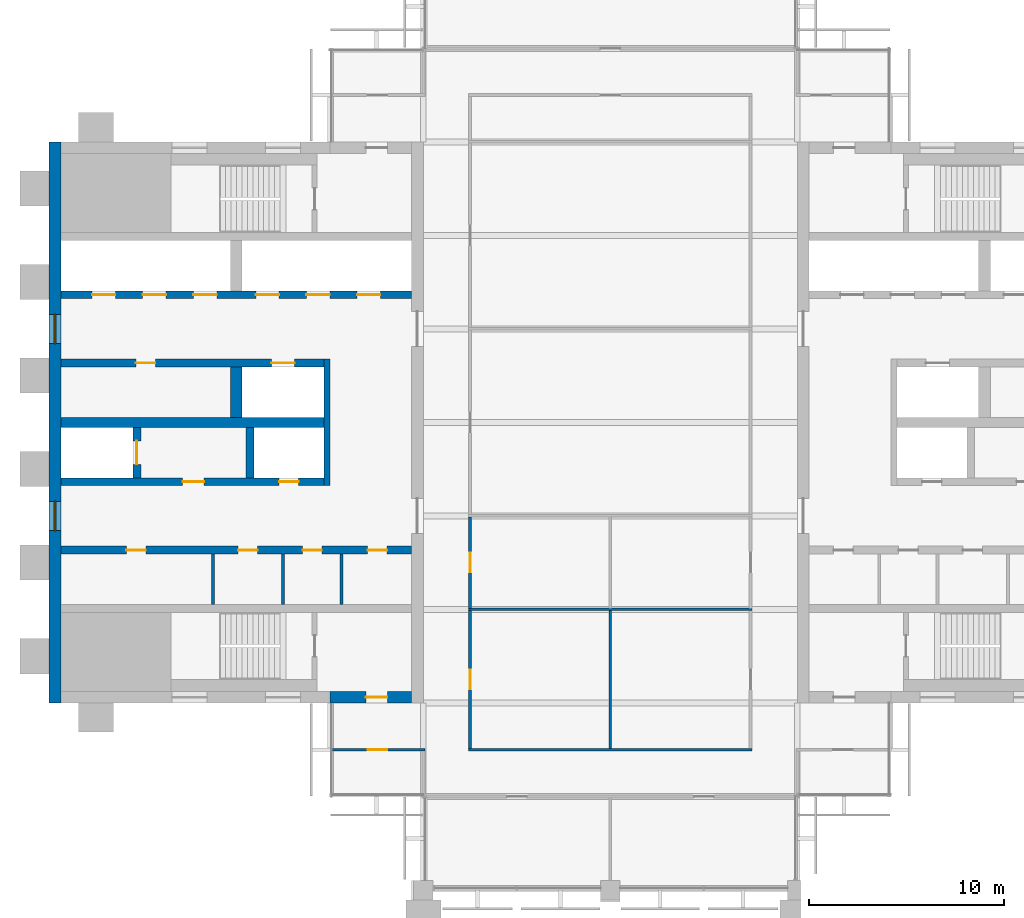
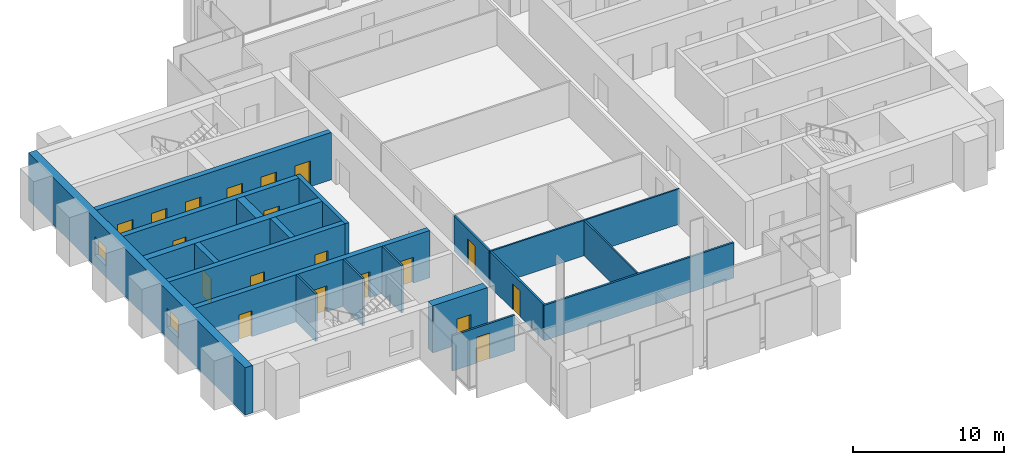
# One storey, part 8 of 12: 20 walls, 19 doors, 2 windows, 21 openings.
"""IFC4 building model written with IfcOpenShell, lengths in metres."""

import ifcopenshell
import ifcopenshell.guid

model = None  # the IFC model being written
_history = None  # IfcOwnerHistory: only IFC2X3 demands one
_inside = {}  # id of a spatial element -> (the spatial element, [elements in it])
_under = {}  # id of a project, library or spatial element -> (it, [spatial elements below it])
_declared = {}  # id of a project -> (the project, [libraries it declares])
_typed = {}  # id of a type object -> (the type object, [elements of that type])
_made_of = {}  # id of a material, layer set ... -> (it, [elements and type objects made of it])


def new_model(schema):
    """Start an empty IFC model of exactly this schema.

    Asked for "IFC4X3", IfcOpenShell would pick the latest addendum, in which some entities
    have other attributes; the version numbers below select the first issue.
    IFC2X3 requires an IfcOwnerHistory on every rooted entity: one is made here for all.
    """
    global model, _history
    if schema == "IFC4X3":
        model = ifcopenshell.file(schema_version=(4, 3, 0, 0))
    else:
        model = ifcopenshell.file(schema=schema)
    _inside.clear()
    _under.clear()
    _declared.clear()
    _typed.clear()
    _made_of.clear()
    _history = None
    if model.schema == "IFC2X3":
        org = make("IfcOrganization", Name="unknown")
        user = make(
            "IfcPersonAndOrganization",
            ThePerson=make("IfcPerson", FamilyName="unknown"),
            TheOrganization=org,
        )
        app = make(
            "IfcApplication",
            ApplicationDeveloper=org,
            Version="unknown",
            ApplicationFullName="unknown",
            ApplicationIdentifier="unknown",
        )
        _history = make(
            "IfcOwnerHistory",
            OwningUser=user,
            OwningApplication=app,
            ChangeAction="ADDED",
            CreationDate=0,
        )
    return model


def make(cls, **values):
    """One entity of the class cls with the attributes given. An attribute that is None is left unset."""
    return model.create_entity(
        cls, **{name: value for name, value in values.items() if value is not None}
    )


def rooted(cls, **values):
    """An entity with a GlobalId (a new one), such as an element, a storey or a relation."""
    return make(cls, GlobalId=ifcopenshell.guid.new(), OwnerHistory=_history, **values)


def si_unit(unit_type, name, prefix=None):
    """IfcSIUnit, for example si_unit("LENGTHUNIT", "METRE", prefix="MILLI")."""
    return make("IfcSIUnit", UnitType=unit_type, Prefix=prefix, Name=name)


def assignment(units):
    """IfcUnitAssignment: the units of a project."""
    return None if units is None else make("IfcUnitAssignment", Units=units)


def point(xyz):
    """IfcCartesianPoint."""
    return None if xyz is None else make("IfcCartesianPoint", Coordinates=xyz)


def direction(xyz):
    """IfcDirection."""
    return None if xyz is None else make("IfcDirection", DirectionRatios=xyz)


def frame(location, z_axis=None, x_axis=None):
    """IfcAxis2Placement3D, a coordinate frame: its origin and axes. An axis left out is left unset."""
    return make(
        "IfcAxis2Placement3D",
        Location=point(location),
        Axis=direction(z_axis),
        RefDirection=direction(x_axis),
    )


def frame_2d(location, x_axis=None):
    """IfcAxis2Placement2D, a coordinate frame in the plane: its origin and x axis."""
    return make(
        "IfcAxis2Placement2D", Location=point(location), RefDirection=direction(x_axis)
    )


def origin():
    """The frame at (0, 0, 0) with its axes left unset."""
    return frame((0.0, 0.0, 0.0))


def place(relative_to, where):
    """IfcLocalPlacement: puts the frame where relative to a parent placement (None: the world)."""
    return make(
        "IfcLocalPlacement", PlacementRelTo=relative_to, RelativePlacement=where
    )


def context(
    kind, dimensions, precision=None, world=None, true_north=None, identifier=None
):
    """IfcGeometricRepresentationContext, for example the 3D "Model" context."""
    return make(
        "IfcGeometricRepresentationContext",
        ContextIdentifier=identifier,
        ContextType=kind,
        CoordinateSpaceDimension=dimensions,
        Precision=precision,
        WorldCoordinateSystem=world,
        TrueNorth=true_north,
    )


def subcontext(parent, identifier, kind, view, scale=None):
    """IfcGeometricRepresentationSubContext, for example "Body" below "Model"."""
    return make(
        "IfcGeometricRepresentationSubContext",
        ContextIdentifier=identifier,
        ContextType=kind,
        ParentContext=parent,
        TargetScale=scale,
        TargetView=view,
    )


def project(units=None, contexts=None):
    """IfcProject with its units and contexts."""
    return rooted(
        "IfcProject",
        Name="project",
        RepresentationContexts=contexts,
        UnitsInContext=assignment(units),
    )


def spatial(cls, under=None, at=None, **own):
    """A site, building, storey or space (cls), placed at a placement, below another one or the project."""
    s = rooted(cls, ObjectPlacement=at, **own)
    if under is not None:
        _under.setdefault(under.id(), (under, []))[1].append(s)
    return s


def profile(cls, at=None, kind="AREA", **sizes):
    """A parametric profile (cls). Its sizes go by their IFC names, for example OverallWidth=200.0."""
    return make(cls, ProfileType=kind, Position=at, **sizes)


def rectangle(**sizes):
    """IfcRectangleProfileDef."""
    return profile("IfcRectangleProfileDef", **sizes)


def extrude(swept, where, along, depth):
    """IfcExtrudedAreaSolid: the profile swept, set in the frame where, extruded along a direction by depth."""
    return make(
        "IfcExtrudedAreaSolid",
        SweptArea=swept,
        Position=where,
        ExtrudedDirection=direction(along),
        Depth=depth,
    )


def shape(context_of_items, identifier, shape_type, items):
    """IfcShapeRepresentation: the items that make up one representation, for example the "Body"."""
    return make(
        "IfcShapeRepresentation",
        ContextOfItems=context_of_items,
        RepresentationIdentifier=identifier,
        RepresentationType=shape_type,
        Items=items,
    )


def material(Name=None, Category=None):
    """IfcMaterial."""
    return make("IfcMaterial", Name=Name, Category=Category)


def layer(
    of_material, thickness, ventilated=None, Name=None, Category=None, Priority=None
):
    """IfcMaterialLayer: one layer of a wall or slab, of a material (None: an air gap)."""
    return make(
        "IfcMaterialLayer",
        Material=of_material,
        LayerThickness=thickness,
        IsVentilated=ventilated,
        Name=Name,
        Category=Category,
        Priority=Priority,
    )


def layer_set(layers, Name=None):
    """IfcMaterialLayerSet."""
    return make("IfcMaterialLayerSet", MaterialLayers=layers, LayerSetName=Name)


def made_of(thing, what):
    """Note that an element or type object is made of a material, layer set ...; save() writes the relation."""
    if what is not None:
        _made_of.setdefault(what.id(), (what, []))[1].append(thing)
    return thing


def type_object(cls, material=None, **own):
    """A type object (cls), such as IfcWallType, which elements share."""
    return made_of(rooted(cls, **own), material)


def element(
    cls,
    number,
    at=None,
    inside=None,
    cuts=None,
    type_object=None,
    material=None,
    context=None,
    identifier="Body",
    shape_type=None,
    held_by="IfcProductDefinitionShape",
    body=None,
    shapes=None,
    **own,
):
    """One element of the class cls, such as IfcWall. Its Tag is "e" and its number.

    at: its placement. inside: the storey or other place that contains it. cuts: it is an
    opening in that element (IfcRelVoidsElement). A single representation is given by context,
    identifier, shape_type and body (its items); several are given by shapes. held_by: the class
    of the entity that holds the representations. save() writes the other relations.
    """
    e = rooted(cls, Tag="e%d" % number, ObjectPlacement=at, **own)
    if body is not None:
        shapes = [shape(context, identifier, shape_type, body)]
    if shapes is not None:
        e.Representation = make(held_by, Representations=shapes)
    if inside is not None:
        _inside.setdefault(inside.id(), (inside, []))[1].append(e)
    if cuts is not None:
        rooted(
            "IfcRelVoidsElement", RelatingBuildingElement=cuts, RelatedOpeningElement=e
        )
    if type_object is not None:
        _typed.setdefault(type_object.id(), (type_object, []))[1].append(e)
    return made_of(e, material)


def fill(opening, filler):
    """IfcRelFillsElement: the door or window that sits in an opening."""
    return rooted(
        "IfcRelFillsElement",
        RelatingOpeningElement=opening,
        RelatedBuildingElement=filler,
    )


def aggregate(whole, parts):
    """IfcRelAggregates: a whole, such as a stair, and the parts it consists of."""
    return rooted("IfcRelAggregates", RelatingObject=whole, RelatedObjects=parts)


def save(model, path):
    """Write the relations noted so far, then the file.

    IfcRelAggregates (storeys below a building ...), IfcRelContainedInSpatialStructure (elements
    in a storey), IfcRelDefinesByType, IfcRelAssociatesMaterial and IfcRelDeclares: one each for
    every whole, place, type object, material and project.
    """
    for whole, parts in _under.values():
        aggregate(whole, parts)
    for where, things in _inside.values():
        rooted(
            "IfcRelContainedInSpatialStructure",
            RelatedElements=things,
            RelatingStructure=where,
        )
    for kind, things in _typed.values():
        rooted("IfcRelDefinesByType", RelatedObjects=things, RelatingType=kind)
    for what, things in _made_of.values():
        rooted("IfcRelAssociatesMaterial", RelatedObjects=things, RelatingMaterial=what)
    for by, libraries in _declared.values():
        rooted("IfcRelDeclares", RelatingContext=by, RelatedDefinitions=libraries)
    model.write(path)


model = new_model("IFC4")

# Units and contexts
model_context = context("Model", 3, precision=1e-05, world=origin(), true_north=direction((0.0, 1.0)))
body_context = subcontext(model_context, "Body", "Model", "MODEL_VIEW")
ifc_project = project(units=[si_unit("LENGTHUNIT", "METRE"), si_unit("AREAUNIT", "SQUARE_METRE"), si_unit("VOLUMEUNIT", "CUBIC_METRE"), si_unit("PLANEANGLEUNIT", "RADIAN"), si_unit("MASSUNIT", "GRAM", prefix="KILO")], contexts=[model_context])

# Site, building, storey
site_placement = place(None, origin())
site = spatial("IfcSite", under=ifc_project, at=site_placement, CompositionType="ELEMENT")
building_placement = place(site_placement, origin())
building = spatial("IfcBuilding", under=site, at=building_placement, Name="Baori Bourse Tower", CompositionType="ELEMENT")
storey_placement = place(building_placement, frame((0.0, 0.0, 342.300048828125)))
storey = spatial("IfcBuildingStorey", under=building, at=storey_placement, Name="L76", CompositionType="ELEMENT", Elevation=342.300048828125)

# Walls
ifc_material_1 = material(Name="Blockwork partition", Category="masonry")
ifc_layer_1 = layer(ifc_material_1, 0.14990234375)
ifc_layer_set_1 = layer_set([ifc_layer_1], Name="Core partition 150")
wall_type_1 = type_object("IfcWallType", Name="Core partition 150", PredefinedType="PARTITIONING", material=ifc_layer_set_1)
for number, where, z_axis, x_axis, name in (
    (1, (8.39990234375, 14.64990234375, 0.0), (0.0, 0.0, 1.0), (0.0, 1.0, 0.0), "Partition wall W09"),
    (2, (12.0, 14.64990234375, 0.0), (0.0, 0.0, 1.0), (0.0, 1.0, 0.0), "Partition wall W10"),
    (3, (15.0, 14.64990234375, 0.0), (0.0, 0.0, 1.0), (0.0, 1.0, 0.0), "Partition wall W11"),
):
    element("IfcWall", number, at=place(storey_placement, frame(where, z_axis=z_axis, x_axis=x_axis)), inside=storey, type_object=wall_type_1, Name=name, PredefinedType="PARTITIONING", context=body_context, shape_type="SweptSolid", body=[
        extrude(rectangle(XDim=2.60009765625, YDim=0.14990234375, at=frame_2d((1.300048828125, 0.0))), origin(), (0.0, 0.0, 1.0), 3.83984375),
    ])

# Wall, openings, windows
ifc_material_2 = material(Name="Concrete f'c 40 MPa", Category="concrete")
ifc_layer_2 = layer(ifc_material_2, 0.60009765625)
ifc_layer_set_2 = layer_set([ifc_layer_2], Name="Core wall 600 f'c 40")
wall_type_2 = type_object("IfcWallType", Name="Core wall 600 f'c 40", PredefinedType="SHEAR", material=ifc_layer_set_2)
wall_1_placement = place(storey_placement, frame((0.300048828125, 9.60009765625, 0.0), z_axis=(0.0, 0.0, 1.0), x_axis=(0.0, 1.0, 0.0)))
wall_1 = element("IfcWall", 4, at=wall_1_placement, inside=storey, type_object=wall_type_2, Name="Core wall W01", PredefinedType="SHEAR", context=body_context, shape_type="SweptSolid", body=[
    extrude(rectangle(XDim=28.7998046875, YDim=0.60009765625, at=frame_2d((14.39990234375, 0.0))), origin(), (0.0, 0.0, 1.0), 3.83984375),
])
opening_1_placement = place(wall_1_placement, frame((8.85009765625, 0.0, 0.89990234375)))
opening_1 = element("IfcOpeningElement", 5, at=opening_1_placement, cuts=wall_1, Name="Opening L76-KW101", PredefinedType="OPENING", context=body_context, shape_type="SweptSolid", body=[
    extrude(rectangle(XDim=1.5, YDim=1.5, at=frame_2d((0.75, 0.75))), frame((0.0, 0.31005859375, 0.0), z_axis=(0.0, -1.0, 0.0), x_axis=(1.0, 0.0, 0.0)), (0.0, 0.0, 1.0), 0.6201171875),
])
opening_2_placement = place(wall_1_placement, frame((18.449951171875, 0.0, 0.89990234375)))
opening_2 = element("IfcOpeningElement", 6, at=opening_2_placement, cuts=wall_1, Name="Opening L76-KW102", PredefinedType="OPENING", context=body_context, shape_type="SweptSolid", body=[
    extrude(rectangle(XDim=1.5, YDim=1.5, at=frame_2d((0.75, 0.75))), frame((0.0, 0.31005859375, 0.0), z_axis=(0.0, -1.0, 0.0), x_axis=(1.0, 0.0, 0.0)), (0.0, 0.0, 1.0), 0.6201171875),
])
ifc_material_3 = material(Name="Pale anodised aluminium", Category="aluminium")
window_type = type_object("IfcWindowType", Name="Lobby window 1500 x 1500", PartitioningType="SINGLE_PANEL", PredefinedType="WINDOW", material=ifc_material_3)
window_1_placement = place(opening_1_placement, origin())
window_1 = element("IfcWindow", 7, at=window_1_placement, inside=storey, type_object=window_type, Name="Outer wall window W L76 1", OverallHeight=1.5, OverallWidth=1.5, PartitioningType="SINGLE_PANEL", PredefinedType="WINDOW", context=body_context, shape_type="SweptSolid", body=[
    extrude(rectangle(XDim=1.5, YDim=1.5, at=frame_2d((0.75, 0.75))), frame((0.0, 0.030029296875, 0.0), z_axis=(0.0, -1.0, 0.0), x_axis=(1.0, 0.0, 0.0)), (0.0, 0.0, 1.0), 0.06005859375),
])
fill(opening_1, window_1)
window_2_placement = place(opening_2_placement, origin())
window_2 = element("IfcWindow", 8, at=window_2_placement, inside=storey, type_object=window_type, Name="Outer wall window W L76 2", OverallHeight=1.5, OverallWidth=1.5, PartitioningType="SINGLE_PANEL", PredefinedType="WINDOW", context=body_context, shape_type="SweptSolid", body=[
    extrude(rectangle(XDim=1.5, YDim=1.5, at=frame_2d((0.75, 0.75))), frame((0.0, 0.030029296875, 0.0), z_axis=(0.0, -1.0, 0.0), x_axis=(1.0, 0.0, 0.0)), (0.0, 0.0, 1.0), 0.06005859375),
])
fill(opening_2, window_2)

# Wall, opening, door
wall_2_placement = place(storey_placement, frame((18.60009765625, 9.89990234375, 0.0), z_axis=(0.0, 0.0, 1.0), x_axis=(-1.0, 0.0, 0.0)))
wall_2 = element("IfcWall", 9, at=wall_2_placement, inside=storey, type_object=wall_type_2, Name="Core wall W03", PredefinedType="SHEAR", context=body_context, shape_type="SweptSolid", body=[
    extrude(rectangle(XDim=4.2001953125, YDim=0.60009765625, at=frame_2d((2.10009765625, 0.0))), origin(), (0.0, 0.0, 1.0), 3.83984375),
])
opening_3_placement = place(wall_2_placement, frame((1.25, 0.0, 0.0)))
opening_3 = element("IfcOpeningElement", 10, at=opening_3_placement, cuts=wall_2, Name="Opening L76-D102", PredefinedType="OPENING", context=body_context, shape_type="SweptSolid", body=[
    extrude(rectangle(XDim=1.10009765625, YDim=2.10009765625, at=frame_2d((0.550048828125, 1.050048828125))), frame((0.0, 0.31005859375, 0.0), z_axis=(0.0, -1.0, 0.0), x_axis=(1.0, 0.0, 0.0)), (0.0, 0.0, 1.0), 0.6201171875),
])
ifc_material_4 = material(Name="Painted steel door", Category="steel")
door_type_1 = type_object("IfcDoorType", Name="Stair door 1100", OperationType="SINGLE_SWING_LEFT", PredefinedType="DOOR", material=ifc_material_4)
door_1_placement = place(opening_3_placement, origin())
door_1 = element("IfcDoor", 11, at=door_1_placement, inside=storey, type_object=door_type_1, Name="Stair vestibule door A W L76", OperationType="SINGLE_SWING_LEFT", OverallHeight=2.10009765625, OverallWidth=1.10009765625, PredefinedType="DOOR", context=body_context, shape_type="SweptSolid", body=[
    extrude(rectangle(XDim=1.10009765625, YDim=2.10009765625, at=frame_2d((0.550048828125, 1.050048828125))), frame((0.0, 0.02490234375, 0.0), z_axis=(0.0, -1.0, 0.0), x_axis=(1.0, 0.0, 0.0)), (0.0, 0.0, 1.0), 0.050048828125),
])
fill(opening_3, door_1)

ifc_material_5 = material(Name="Gypsum board partition")
ifc_layer_3 = layer(ifc_material_5, 0.14990234375)
ifc_layer_set_3 = layer_set([ifc_layer_3], Name="Corridor partition 150")
wall_type_3 = type_object("IfcWallType", Name="Corridor partition 150", PredefinedType="PARTITIONING", material=ifc_layer_set_3)
wall_3_placement = place(storey_placement, frame((14.5, 7.199951171875, 0.0), z_axis=(0.0, 0.0, 1.0), x_axis=(1.0, 0.0, 0.0)))
wall_3 = element("IfcWall", 12, at=wall_3_placement, inside=storey, type_object=wall_type_3, Name="Partition", PredefinedType="PARTITIONING", context=body_context, shape_type="SweptSolid", body=[
    extrude(rectangle(XDim=4.77490234375, YDim=0.14990234375, at=frame_2d((2.387451171875, 0.0))), origin(), (0.0, 0.0, 1.0), 2.86962890625),
])
opening_4_placement = place(wall_3_placement, frame((1.85009765625, 0.0, 0.0)))
opening_4 = element("IfcOpeningElement", 13, at=opening_4_placement, cuts=wall_3, Name="Opening L76-D03", PredefinedType="OPENING", context=body_context, shape_type="SweptSolid", body=[
    extrude(rectangle(XDim=1.0, YDim=2.10009765625, at=frame_2d((0.5, 1.050048828125))), frame((0.0, 0.0849609375, 0.0), z_axis=(0.0, -1.0, 0.0), x_axis=(1.0, 0.0, 0.0)), (0.0, 0.0, 1.0), 0.169921875),
])
ifc_material_6 = material(Name="Timber door leaf", Category="wood")
door_type_2 = type_object("IfcDoorType", Name="Door 1000 x 2100", OperationType="SINGLE_SWING_LEFT", PredefinedType="DOOR", material=ifc_material_6)
door_2_placement = place(opening_4_placement, origin())
door_2 = element("IfcDoor", 14, at=door_2_placement, inside=storey, type_object=door_type_2, Name="Door", OperationType="SINGLE_SWING_LEFT", OverallHeight=2.10009765625, OverallWidth=1.0, PredefinedType="DOOR", context=body_context, shape_type="SweptSolid", body=[
    extrude(rectangle(XDim=1.0, YDim=2.10009765625, at=frame_2d((0.5, 1.050048828125))), frame((0.0, 0.02490234375, 0.0), z_axis=(0.0, -1.0, 0.0), x_axis=(1.0, 0.0, 0.0)), (0.0, 0.0, 1.0), 0.050048828125),
])
fill(opening_4, door_2)

# Wall
wall_4_placement = place(storey_placement, frame((21.52490234375, 7.199951171875, 0.0), z_axis=(0.0, 0.0, 1.0), x_axis=(1.0, 0.0, 0.0)))
element("IfcWall", 15, at=wall_4_placement, inside=storey, type_object=wall_type_3, Name="Partition", PredefinedType="PARTITIONING", context=body_context, shape_type="SweptSolid", body=[
    extrude(rectangle(XDim=14.550048828125, YDim=0.14990234375, at=frame_2d((7.27490234375, 0.0))), origin(), (0.0, 0.0, 1.0), 2.86962890625),
])

# Wall, opening, door
wall_5_placement = place(storey_placement, frame((21.60009765625, 7.27490234375, 0.0), z_axis=(0.0, 0.0, 1.0), x_axis=(0.0, 1.0, 0.0)))
wall_5 = element("IfcWall", 16, at=wall_5_placement, inside=storey, type_object=wall_type_3, Name="Partition", PredefinedType="PARTITIONING", context=body_context, shape_type="SweptSolid", body=[
    extrude(rectangle(XDim=7.0625, YDim=0.14990234375, at=frame_2d((3.53125, 0.0))), origin(), (0.0, 0.0, 1.0), 2.86962890625),
])
opening_5_placement = place(wall_5_placement, frame((3.03125, 0.0, 0.0)))
opening_5 = element("IfcOpeningElement", 17, at=opening_5_placement, cuts=wall_5, Name="Opening L76-D09", PredefinedType="OPENING", context=body_context, shape_type="SweptSolid", body=[
    extrude(rectangle(XDim=1.0, YDim=2.10009765625, at=frame_2d((0.5, 1.050048828125))), frame((0.0, 0.0849609375, 0.0), z_axis=(0.0, -1.0, 0.0), x_axis=(1.0, 0.0, 0.0)), (0.0, 0.0, 1.0), 0.169921875),
])
door_3_placement = place(opening_5_placement, origin())
door_3 = element("IfcDoor", 18, at=door_3_placement, inside=storey, type_object=door_type_2, Name="Door", OperationType="SINGLE_SWING_LEFT", OverallHeight=2.10009765625, OverallWidth=1.0, PredefinedType="DOOR", context=body_context, shape_type="SweptSolid", body=[
    extrude(rectangle(XDim=1.0, YDim=2.10009765625, at=frame_2d((0.5, 1.050048828125))), frame((0.0, 0.02490234375, 0.0), z_axis=(0.0, -1.0, 0.0), x_axis=(1.0, 0.0, 0.0)), (0.0, 0.0, 1.0), 0.050048828125),
])
fill(opening_5, door_3)

wall_6_placement = place(storey_placement, frame((21.60009765625, 14.46240234375, 0.0), z_axis=(0.0, 0.0, 1.0), x_axis=(0.0, 1.0, 0.0)))
wall_6 = element("IfcWall", 19, at=wall_6_placement, inside=storey, type_object=wall_type_3, Name="Partition", PredefinedType="PARTITIONING", context=body_context, shape_type="SweptSolid", body=[
    extrude(rectangle(XDim=4.675048828125, YDim=0.14990234375, at=frame_2d((2.33740234375, 0.0))), origin(), (0.0, 0.0, 1.0), 2.86962890625),
])
opening_6_placement = place(wall_6_placement, frame((1.83740234375, 0.0, 0.0)))
opening_6 = element("IfcOpeningElement", 20, at=opening_6_placement, cuts=wall_6, Name="Opening L76-D10", PredefinedType="OPENING", context=body_context, shape_type="SweptSolid", body=[
    extrude(rectangle(XDim=1.0, YDim=2.10009765625, at=frame_2d((0.5, 1.050048828125))), frame((0.0, 0.0849609375, 0.0), z_axis=(0.0, -1.0, 0.0), x_axis=(1.0, 0.0, 0.0)), (0.0, 0.0, 1.0), 0.169921875),
])
door_4_placement = place(opening_6_placement, origin())
door_4 = element("IfcDoor", 21, at=door_4_placement, inside=storey, type_object=door_type_2, Name="Door", OperationType="SINGLE_SWING_RIGHT", OverallHeight=2.10009765625, OverallWidth=1.0, PredefinedType="DOOR", context=body_context, shape_type="SweptSolid", body=[
    extrude(rectangle(XDim=1.0, YDim=2.10009765625, at=frame_2d((0.5, 1.050048828125))), frame((0.0, 0.02490234375, 0.0), z_axis=(0.0, -1.0, 0.0), x_axis=(1.0, 0.0, 0.0)), (0.0, 0.0, 1.0), 0.050048828125),
])
fill(opening_6, door_4)

# Walls
ifc_material_7 = material(Name="Gypsum board partition")
ifc_layer_4 = layer(ifc_material_7, 0.125)
ifc_layer_set_4 = layer_set([ifc_layer_4], Name="Partition 125")
wall_type_4 = type_object("IfcWallType", Name="Partition 125", PredefinedType="PARTITIONING", material=ifc_layer_set_4)
wall_7_placement = place(storey_placement, frame((21.52490234375, 14.39990234375, 0.0), z_axis=(0.0, 0.0, 1.0), x_axis=(1.0, 0.0, 0.0)))
element("IfcWall", 22, at=wall_7_placement, inside=storey, type_object=wall_type_4, Name="Partition", PredefinedType="PARTITIONING", context=body_context, shape_type="SweptSolid", body=[
    extrude(rectangle(XDim=14.550048828125, YDim=0.125, at=frame_2d((7.27490234375, 0.0))), origin(), (0.0, 0.0, 1.0), 2.86962890625),
])
wall_8_placement = place(storey_placement, frame((28.800048828125, 7.27490234375, 0.0), z_axis=(0.0, 0.0, 1.0), x_axis=(0.0, 1.0, 0.0)))
element("IfcWall", 23, at=wall_8_placement, inside=storey, type_object=wall_type_4, Name="Partition", PredefinedType="PARTITIONING", context=body_context, shape_type="SweptSolid", body=[
    extrude(rectangle(XDim=7.0625, YDim=0.125, at=frame_2d((3.53125, 0.0))), origin(), (0.0, 0.0, 1.0), 2.86962890625),
])
ifc_material_8 = material(Name="Concrete f'c 40 MPa", Category="concrete")
ifc_layer_5 = layer(ifc_material_8, 0.300048828125)
ifc_layer_set_5 = layer_set([ifc_layer_5], Name="Shaft wall 300 f'c 40")
wall_type_5 = type_object("IfcWallType", Name="Shaft wall 300 f'c 40", PredefinedType="SHEAR", material=ifc_layer_set_5)
wall_9_placement = place(storey_placement, frame((14.25, 20.75, 0.0), z_axis=(0.0, 0.0, 1.0), x_axis=(0.0, 1.0, 0.0)))
element("IfcWall", 24, at=wall_9_placement, inside=storey, type_object=wall_type_5, Name="Core wall W14", PredefinedType="SHEAR", context=body_context, shape_type="SweptSolid", body=[
    extrude(rectangle(XDim=6.5, YDim=0.300048828125, at=frame_2d((3.25, 0.0))), origin(), (0.0, 0.0, 1.0), 3.83984375),
])

# Wall, openings, doors
ifc_material_9 = material(Name="Concrete f'c 40 MPa", Category="concrete")
ifc_layer_6 = layer(ifc_material_9, 0.39990234375)
ifc_layer_set_6 = layer_set([ifc_layer_6], Name="Shaft wall 400 f'c 40")
wall_type_6 = type_object("IfcWallType", Name="Shaft wall 400 f'c 40", PredefinedType="SHEAR", material=ifc_layer_set_6)
wall_10_placement = place(storey_placement, frame((0.60009765625, 17.449951171875, 0.0), z_axis=(0.0, 0.0, 1.0), x_axis=(1.0, 0.0, 0.0)))
wall_10 = element("IfcWall", 25, at=wall_10_placement, inside=storey, type_object=wall_type_6, Name="Core wall W12", PredefinedType="SHEAR", context=body_context, shape_type="SweptSolid", body=[
    extrude(rectangle(XDim=18.0, YDim=0.39990234375, at=frame_2d((9.0, 0.0))), origin(), (0.0, 0.0, 1.0), 3.83984375),
])
opening_7_placement = place(wall_10_placement, frame((3.362548828125, 0.0, 0.0)))
opening_7 = element("IfcOpeningElement", 26, at=opening_7_placement, cuts=wall_10, Name="Opening L76-D109", PredefinedType="OPENING", context=body_context, shape_type="SweptSolid", body=[
    extrude(rectangle(XDim=1.0, YDim=2.10009765625, at=frame_2d((0.5, 1.050048828125))), frame((0.0, 0.2099609375, 0.0), z_axis=(0.0, -1.0, 0.0), x_axis=(1.0, 0.0, 0.0)), (0.0, 0.0, 1.0), 0.419921875),
])
opening_8_placement = place(wall_10_placement, frame((9.10009765625, 0.0, 0.0)))
opening_8 = element("IfcOpeningElement", 27, at=opening_8_placement, cuts=wall_10, Name="Opening L76-D110", PredefinedType="OPENING", context=body_context, shape_type="SweptSolid", body=[
    extrude(rectangle(XDim=1.0, YDim=2.10009765625, at=frame_2d((0.5, 1.050048828125))), frame((0.0, 0.2099609375, 0.0), z_axis=(0.0, -1.0, 0.0), x_axis=(1.0, 0.0, 0.0)), (0.0, 0.0, 1.0), 0.419921875),
])
opening_9_placement = place(wall_10_placement, frame((12.39990234375, 0.0, 0.0)))
opening_9 = element("IfcOpeningElement", 28, at=opening_9_placement, cuts=wall_10, Name="Opening L76-D111", PredefinedType="OPENING", context=body_context, shape_type="SweptSolid", body=[
    extrude(rectangle(XDim=1.0, YDim=2.10009765625, at=frame_2d((0.5, 1.050048828125))), frame((0.0, 0.2099609375, 0.0), z_axis=(0.0, -1.0, 0.0), x_axis=(1.0, 0.0, 0.0)), (0.0, 0.0, 1.0), 0.419921875),
])
opening_10_placement = place(wall_10_placement, frame((15.737548828125, 0.0, 0.0)))
opening_10 = element("IfcOpeningElement", 29, at=opening_10_placement, cuts=wall_10, Name="Opening L76-D112", PredefinedType="OPENING", context=body_context, shape_type="SweptSolid", body=[
    extrude(rectangle(XDim=1.0, YDim=2.10009765625, at=frame_2d((0.5, 1.050048828125))), frame((0.0, 0.2099609375, 0.0), z_axis=(0.0, -1.0, 0.0), x_axis=(1.0, 0.0, 0.0)), (0.0, 0.0, 1.0), 0.419921875),
])
ifc_material_10 = material(Name="Painted steel door", Category="steel")
door_type_3 = type_object("IfcDoorType", Name="Core door 1000", OperationType="SINGLE_SWING_LEFT", PredefinedType="DOOR", material=ifc_material_10)
door_5_placement = place(opening_7_placement, origin())
door_5 = element("IfcDoor", 30, at=door_5_placement, inside=storey, type_object=door_type_3, Name="Men'S Wc door W L76", OperationType="SINGLE_SWING_LEFT", OverallHeight=2.10009765625, OverallWidth=1.0, PredefinedType="DOOR", context=body_context, shape_type="SweptSolid", body=[
    extrude(rectangle(XDim=1.0, YDim=2.10009765625, at=frame_2d((0.5, 1.050048828125))), frame((0.0, 0.02490234375, 0.0), z_axis=(0.0, -1.0, 0.0), x_axis=(1.0, 0.0, 0.0)), (0.0, 0.0, 1.0), 0.050048828125),
])
fill(opening_7, door_5)
door_6_placement = place(opening_8_placement, origin())
door_6 = element("IfcDoor", 31, at=door_6_placement, inside=storey, type_object=door_type_3, Name="Women'S Wc door W L76", OperationType="SINGLE_SWING_LEFT", OverallHeight=2.10009765625, OverallWidth=1.0, PredefinedType="DOOR", context=body_context, shape_type="SweptSolid", body=[
    extrude(rectangle(XDim=1.0, YDim=2.10009765625, at=frame_2d((0.5, 1.050048828125))), frame((0.0, 0.02490234375, 0.0), z_axis=(0.0, -1.0, 0.0), x_axis=(1.0, 0.0, 0.0)), (0.0, 0.0, 1.0), 0.050048828125),
])
fill(opening_8, door_6)
door_7_placement = place(opening_9_placement, origin())
door_7 = element("IfcDoor", 32, at=door_7_placement, inside=storey, type_object=door_type_3, Name="Accessible Wc door W L76", OperationType="SINGLE_SWING_LEFT", OverallHeight=2.10009765625, OverallWidth=1.0, PredefinedType="DOOR", context=body_context, shape_type="SweptSolid", body=[
    extrude(rectangle(XDim=1.0, YDim=2.10009765625, at=frame_2d((0.5, 1.050048828125))), frame((0.0, 0.02490234375, 0.0), z_axis=(0.0, -1.0, 0.0), x_axis=(1.0, 0.0, 0.0)), (0.0, 0.0, 1.0), 0.050048828125),
])
fill(opening_9, door_7)
door_8_placement = place(opening_10_placement, origin())
door_8 = element("IfcDoor", 33, at=door_8_placement, inside=storey, type_object=door_type_3, Name="Pantry door W L76", OperationType="SINGLE_SWING_LEFT", OverallHeight=2.10009765625, OverallWidth=1.0, PredefinedType="DOOR", context=body_context, shape_type="SweptSolid", body=[
    extrude(rectangle(XDim=1.0, YDim=2.10009765625, at=frame_2d((0.5, 1.050048828125))), frame((0.0, 0.02490234375, 0.0), z_axis=(0.0, -1.0, 0.0), x_axis=(1.0, 0.0, 0.0)), (0.0, 0.0, 1.0), 0.050048828125),
])
fill(opening_10, door_8)

wall_11_placement = place(storey_placement, frame((0.60009765625, 20.949951171875, 0.0), z_axis=(0.0, 0.0, 1.0), x_axis=(1.0, 0.0, 0.0)))
wall_11 = element("IfcWall", 34, at=wall_11_placement, inside=storey, type_object=wall_type_6, Name="Core wall W13", PredefinedType="SHEAR", context=body_context, shape_type="SweptSolid", body=[
    extrude(rectangle(XDim=13.5, YDim=0.39990234375, at=frame_2d((6.75, 0.0))), origin(), (0.0, 0.0, 1.0), 3.83984375),
])
opening_11_placement = place(wall_11_placement, frame((6.25, 0.0, 0.0)))
opening_11 = element("IfcOpeningElement", 35, at=opening_11_placement, cuts=wall_11, Name="Opening L76-D105", PredefinedType="OPENING", context=body_context, shape_type="SweptSolid", body=[
    extrude(rectangle(XDim=1.10009765625, YDim=2.10009765625, at=frame_2d((0.550048828125, 1.050048828125))), frame((0.0, 0.2099609375, 0.0), z_axis=(0.0, -1.0, 0.0), x_axis=(1.0, 0.0, 0.0)), (0.0, 0.0, 1.0), 0.419921875),
])
opening_12_placement = place(wall_11_placement, frame((11.199951171875, 0.0, 0.0)))
opening_12 = element("IfcOpeningElement", 36, at=opening_12_placement, cuts=wall_11, Name="Opening L76-D106", PredefinedType="OPENING", context=body_context, shape_type="SweptSolid", body=[
    extrude(rectangle(XDim=1.0, YDim=2.10009765625, at=frame_2d((0.5, 1.050048828125))), frame((0.0, 0.2099609375, 0.0), z_axis=(0.0, -1.0, 0.0), x_axis=(1.0, 0.0, 0.0)), (0.0, 0.0, 1.0), 0.419921875),
])
ifc_material_11 = material(Name="Painted steel door", Category="steel")
door_type_4 = type_object("IfcDoorType", Name="Lobby door 1100", OperationType="SINGLE_SWING_LEFT", PredefinedType="DOOR", material=ifc_material_11)
door_9_placement = place(opening_11_placement, origin())
door_9 = element("IfcDoor", 37, at=door_9_placement, inside=storey, type_object=door_type_4, Name="Firefighting lobby door W L76", OperationType="SINGLE_SWING_LEFT", OverallHeight=2.10009765625, OverallWidth=1.10009765625, PredefinedType="DOOR", context=body_context, shape_type="SweptSolid", body=[
    extrude(rectangle(XDim=1.10009765625, YDim=2.10009765625, at=frame_2d((0.550048828125, 1.050048828125))), frame((0.0, 0.02490234375, 0.0), z_axis=(0.0, -1.0, 0.0), x_axis=(1.0, 0.0, 0.0)), (0.0, 0.0, 1.0), 0.050048828125),
])
fill(opening_11, door_9)
ifc_material_12 = material(Name="Painted steel door", Category="steel")
door_type_5 = type_object("IfcDoorType", Name="Shaft door 1000", OperationType="SINGLE_SWING_LEFT", PredefinedType="DOOR", material=ifc_material_12)
door_10_placement = place(opening_12_placement, origin())
door_10 = element("IfcDoor", 38, at=door_10_placement, inside=storey, type_object=door_type_5, Name="Riser room door W L76", OperationType="SINGLE_SWING_LEFT", OverallHeight=2.10009765625, OverallWidth=1.0, PredefinedType="DOOR", context=body_context, shape_type="SweptSolid", body=[
    extrude(rectangle(XDim=1.0, YDim=2.10009765625, at=frame_2d((0.5, 1.050048828125))), frame((0.0, 0.02490234375, 0.0), z_axis=(0.0, -1.0, 0.0), x_axis=(1.0, 0.0, 0.0)), (0.0, 0.0, 1.0), 0.050048828125),
])
fill(opening_12, door_10)

# Wall, opening, door
wall_12_placement = place(storey_placement, frame((4.5, 21.14990234375, 0.0), z_axis=(0.0, 0.0, 1.0), x_axis=(0.0, 1.0, 0.0)))
wall_12 = element("IfcWall", 39, at=wall_12_placement, inside=storey, type_object=wall_type_6, Name="Core wall W15", PredefinedType="SHEAR", context=body_context, shape_type="SweptSolid", body=[
    extrude(rectangle(XDim=2.60009765625, YDim=0.39990234375, at=frame_2d((1.300048828125, 0.0))), origin(), (0.0, 0.0, 1.0), 3.83984375),
])
opening_13_placement = place(wall_12_placement, frame((0.699951171875, 0.0, 0.0)))
opening_13 = element("IfcOpeningElement", 40, at=opening_13_placement, cuts=wall_12, Name="Opening L76-D121", PredefinedType="OPENING", context=body_context, shape_type="SweptSolid", body=[
    extrude(rectangle(XDim=1.199951171875, YDim=2.10009765625, at=frame_2d((0.60009765625, 1.050048828125))), frame((0.0, 0.2099609375, 0.0), z_axis=(0.0, -1.0, 0.0), x_axis=(1.0, 0.0, 0.0)), (0.0, 0.0, 1.0), 0.419921875),
])
ifc_material_13 = material(Name="Stainless steel door", Category="steel")
door_type_6 = type_object("IfcDoorType", Name="Lift landing door", OperationType="DOUBLE_DOOR_SLIDING", PredefinedType="DOOR", material=ifc_material_13)
door_11_placement = place(opening_13_placement, origin())
door_11 = element("IfcDoor", 41, at=door_11_placement, inside=storey, type_object=door_type_6, Name="Lift landing door FF1 W L76", OperationType="DOUBLE_DOOR_SLIDING", OverallHeight=2.10009765625, OverallWidth=1.199951171875, PredefinedType="DOOR", context=body_context, shape_type="SweptSolid", body=[
    extrude(rectangle(XDim=1.199951171875, YDim=2.10009765625, at=frame_2d((0.60009765625, 1.050048828125))), frame((0.0, 0.02490234375, 0.0), z_axis=(0.0, -1.0, 0.0), x_axis=(1.0, 0.0, 0.0)), (0.0, 0.0, 1.0), 0.050048828125),
])
fill(opening_13, door_11)

# Wall
wall_13_placement = place(storey_placement, frame((10.300048828125, 21.14990234375, 0.0), z_axis=(0.0, 0.0, 1.0), x_axis=(0.0, 1.0, 0.0)))
element("IfcWall", 42, at=wall_13_placement, inside=storey, type_object=wall_type_6, Name="Core wall W16", PredefinedType="SHEAR", context=body_context, shape_type="SweptSolid", body=[
    extrude(rectangle(XDim=2.60009765625, YDim=0.39990234375, at=frame_2d((1.300048828125, 0.0))), origin(), (0.0, 0.0, 1.0), 3.83984375),
])

# Wall, openings, doors
wall_14_placement = place(storey_placement, frame((0.60009765625, 27.050048828125, 0.0), z_axis=(0.0, 0.0, 1.0), x_axis=(1.0, 0.0, 0.0)))
wall_14 = element("IfcWall", 43, at=wall_14_placement, inside=storey, type_object=wall_type_6, Name="Core wall W19", PredefinedType="SHEAR", context=body_context, shape_type="SweptSolid", body=[
    extrude(rectangle(XDim=13.5, YDim=0.39990234375, at=frame_2d((6.75, 0.0))), origin(), (0.0, 0.0, 1.0), 3.83984375),
])
opening_14_placement = place(wall_14_placement, frame((3.85009765625, 0.0, 0.0)))
opening_14 = element("IfcOpeningElement", 44, at=opening_14_placement, cuts=wall_14, Name="Opening L76-D113", PredefinedType="OPENING", context=body_context, shape_type="SweptSolid", body=[
    extrude(rectangle(XDim=1.0, YDim=2.10009765625, at=frame_2d((0.5, 1.050048828125))), frame((0.0, 0.2099609375, 0.0), z_axis=(0.0, -1.0, 0.0), x_axis=(1.0, 0.0, 0.0)), (0.0, 0.0, 1.0), 0.419921875),
])
opening_15_placement = place(wall_14_placement, frame((10.800048828125, 0.0, 0.0)))
opening_15 = element("IfcOpeningElement", 45, at=opening_15_placement, cuts=wall_14, Name="Opening L76-D120", PredefinedType="OPENING", context=body_context, shape_type="SweptSolid", body=[
    extrude(rectangle(XDim=1.199951171875, YDim=2.10009765625, at=frame_2d((0.60009765625, 1.050048828125))), frame((0.0, 0.2099609375, 0.0), z_axis=(0.0, -1.0, 0.0), x_axis=(1.0, 0.0, 0.0)), (0.0, 0.0, 1.0), 0.419921875),
])
door_12_placement = place(opening_14_placement, origin())
door_12 = element("IfcDoor", 46, at=door_12_placement, inside=storey, type_object=door_type_3, Name="Copy Room door W L76", OperationType="SINGLE_SWING_LEFT", OverallHeight=2.10009765625, OverallWidth=1.0, PredefinedType="DOOR", context=body_context, shape_type="SweptSolid", body=[
    extrude(rectangle(XDim=1.0, YDim=2.10009765625, at=frame_2d((0.5, 1.050048828125))), frame((0.0, 0.02490234375, 0.0), z_axis=(0.0, -1.0, 0.0), x_axis=(1.0, 0.0, 0.0)), (0.0, 0.0, 1.0), 0.050048828125),
])
fill(opening_14, door_12)
door_13_placement = place(opening_15_placement, origin())
door_13 = element("IfcDoor", 47, at=door_13_placement, inside=storey, type_object=door_type_6, Name="Lift landing door SV1 W L76", OperationType="DOUBLE_DOOR_SLIDING", OverallHeight=2.10009765625, OverallWidth=1.199951171875, PredefinedType="DOOR", context=body_context, shape_type="SweptSolid", body=[
    extrude(rectangle(XDim=1.199951171875, YDim=2.10009765625, at=frame_2d((0.60009765625, 1.050048828125))), frame((0.0, 0.02490234375, 0.0), z_axis=(0.0, -1.0, 0.0), x_axis=(1.0, 0.0, 0.0)), (0.0, 0.0, 1.0), 0.050048828125),
])
fill(opening_15, door_13)

wall_15_placement = place(storey_placement, frame((0.60009765625, 30.550048828125, 0.0), z_axis=(0.0, 0.0, 1.0), x_axis=(1.0, 0.0, 0.0)))
wall_15 = element("IfcWall", 48, at=wall_15_placement, inside=storey, type_object=wall_type_6, Name="Core wall W20", PredefinedType="SHEAR", context=body_context, shape_type="SweptSolid", body=[
    extrude(rectangle(XDim=18.0, YDim=0.39990234375, at=frame_2d((9.0, 0.0))), origin(), (0.0, 0.0, 1.0), 3.83984375),
])
opening_16_placement = place(wall_15_placement, frame((1.60009765625, 0.0, 0.0)))
opening_16 = element("IfcOpeningElement", 49, at=opening_16_placement, cuts=wall_15, Name="Opening L76-D114", PredefinedType="OPENING", context=body_context, shape_type="SweptSolid", body=[
    extrude(rectangle(XDim=1.199951171875, YDim=2.10009765625, at=frame_2d((0.60009765625, 1.050048828125))), frame((0.0, 0.2099609375, 0.0), z_axis=(0.0, -1.0, 0.0), x_axis=(1.0, 0.0, 0.0)), (0.0, 0.0, 1.0), 0.419921875),
])
opening_17_placement = place(wall_15_placement, frame((4.199951171875, 0.0, 0.0)))
opening_17 = element("IfcOpeningElement", 50, at=opening_17_placement, cuts=wall_15, Name="Opening L76-D115", PredefinedType="OPENING", context=body_context, shape_type="SweptSolid", body=[
    extrude(rectangle(XDim=1.199951171875, YDim=2.10009765625, at=frame_2d((0.60009765625, 1.050048828125))), frame((0.0, 0.2099609375, 0.0), z_axis=(0.0, -1.0, 0.0), x_axis=(1.0, 0.0, 0.0)), (0.0, 0.0, 1.0), 0.419921875),
])
opening_18_placement = place(wall_15_placement, frame((6.800048828125, 0.0, 0.0)))
opening_18 = element("IfcOpeningElement", 51, at=opening_18_placement, cuts=wall_15, Name="Opening L76-D116", PredefinedType="OPENING", context=body_context, shape_type="SweptSolid", body=[
    extrude(rectangle(XDim=1.199951171875, YDim=2.10009765625, at=frame_2d((0.60009765625, 1.050048828125))), frame((0.0, 0.2099609375, 0.0), z_axis=(0.0, -1.0, 0.0), x_axis=(1.0, 0.0, 0.0)), (0.0, 0.0, 1.0), 0.419921875),
])
opening_19_placement = place(wall_15_placement, frame((10.0, 0.0, 0.0)))
opening_19 = element("IfcOpeningElement", 52, at=opening_19_placement, cuts=wall_15, Name="Opening L76-D117", PredefinedType="OPENING", context=body_context, shape_type="SweptSolid", body=[
    extrude(rectangle(XDim=1.199951171875, YDim=2.10009765625, at=frame_2d((0.60009765625, 1.050048828125))), frame((0.0, 0.2099609375, 0.0), z_axis=(0.0, -1.0, 0.0), x_axis=(1.0, 0.0, 0.0)), (0.0, 0.0, 1.0), 0.419921875),
])
opening_20_placement = place(wall_15_placement, frame((12.60009765625, 0.0, 0.0)))
opening_20 = element("IfcOpeningElement", 53, at=opening_20_placement, cuts=wall_15, Name="Opening L76-D118", PredefinedType="OPENING", context=body_context, shape_type="SweptSolid", body=[
    extrude(rectangle(XDim=1.199951171875, YDim=2.10009765625, at=frame_2d((0.60009765625, 1.050048828125))), frame((0.0, 0.2099609375, 0.0), z_axis=(0.0, -1.0, 0.0), x_axis=(1.0, 0.0, 0.0)), (0.0, 0.0, 1.0), 0.419921875),
])
opening_21_placement = place(wall_15_placement, frame((15.199951171875, 0.0, 0.0)))
opening_21 = element("IfcOpeningElement", 54, at=opening_21_placement, cuts=wall_15, Name="Opening L76-D119", PredefinedType="OPENING", context=body_context, shape_type="SweptSolid", body=[
    extrude(rectangle(XDim=1.199951171875, YDim=2.10009765625, at=frame_2d((0.60009765625, 1.050048828125))), frame((0.0, 0.2099609375, 0.0), z_axis=(0.0, -1.0, 0.0), x_axis=(1.0, 0.0, 0.0)), (0.0, 0.0, 1.0), 0.419921875),
])
door_14_placement = place(opening_16_placement, origin())
door_14 = element("IfcDoor", 55, at=door_14_placement, inside=storey, type_object=door_type_6, Name="Lift landing door HR1 W L76", OperationType="DOUBLE_DOOR_SLIDING", OverallHeight=2.10009765625, OverallWidth=1.199951171875, PredefinedType="DOOR", context=body_context, shape_type="SweptSolid", body=[
    extrude(rectangle(XDim=1.199951171875, YDim=2.10009765625, at=frame_2d((0.60009765625, 1.050048828125))), frame((0.0, 0.02490234375, 0.0), z_axis=(0.0, -1.0, 0.0), x_axis=(1.0, 0.0, 0.0)), (0.0, 0.0, 1.0), 0.050048828125),
])
fill(opening_16, door_14)
door_15_placement = place(opening_17_placement, origin())
door_15 = element("IfcDoor", 56, at=door_15_placement, inside=storey, type_object=door_type_6, Name="Lift landing door HR2 W L76", OperationType="DOUBLE_DOOR_SLIDING", OverallHeight=2.10009765625, OverallWidth=1.199951171875, PredefinedType="DOOR", context=body_context, shape_type="SweptSolid", body=[
    extrude(rectangle(XDim=1.199951171875, YDim=2.10009765625, at=frame_2d((0.60009765625, 1.050048828125))), frame((0.0, 0.02490234375, 0.0), z_axis=(0.0, -1.0, 0.0), x_axis=(1.0, 0.0, 0.0)), (0.0, 0.0, 1.0), 0.050048828125),
])
fill(opening_17, door_15)
door_16_placement = place(opening_18_placement, origin())
door_16 = element("IfcDoor", 57, at=door_16_placement, inside=storey, type_object=door_type_6, Name="Lift landing door HR3 W L76", OperationType="DOUBLE_DOOR_SLIDING", OverallHeight=2.10009765625, OverallWidth=1.199951171875, PredefinedType="DOOR", context=body_context, shape_type="SweptSolid", body=[
    extrude(rectangle(XDim=1.199951171875, YDim=2.10009765625, at=frame_2d((0.60009765625, 1.050048828125))), frame((0.0, 0.02490234375, 0.0), z_axis=(0.0, -1.0, 0.0), x_axis=(1.0, 0.0, 0.0)), (0.0, 0.0, 1.0), 0.050048828125),
])
fill(opening_18, door_16)
door_17_placement = place(opening_19_placement, origin())
door_17 = element("IfcDoor", 58, at=door_17_placement, inside=storey, type_object=door_type_6, Name="Lift landing door HR4 W L76", OperationType="DOUBLE_DOOR_SLIDING", OverallHeight=2.10009765625, OverallWidth=1.199951171875, PredefinedType="DOOR", context=body_context, shape_type="SweptSolid", body=[
    extrude(rectangle(XDim=1.199951171875, YDim=2.10009765625, at=frame_2d((0.60009765625, 1.050048828125))), frame((0.0, 0.02490234375, 0.0), z_axis=(0.0, -1.0, 0.0), x_axis=(1.0, 0.0, 0.0)), (0.0, 0.0, 1.0), 0.050048828125),
])
fill(opening_19, door_17)
door_18_placement = place(opening_20_placement, origin())
door_18 = element("IfcDoor", 59, at=door_18_placement, inside=storey, type_object=door_type_6, Name="Lift landing door HR5 W L76", OperationType="DOUBLE_DOOR_SLIDING", OverallHeight=2.10009765625, OverallWidth=1.199951171875, PredefinedType="DOOR", context=body_context, shape_type="SweptSolid", body=[
    extrude(rectangle(XDim=1.199951171875, YDim=2.10009765625, at=frame_2d((0.60009765625, 1.050048828125))), frame((0.0, 0.02490234375, 0.0), z_axis=(0.0, -1.0, 0.0), x_axis=(1.0, 0.0, 0.0)), (0.0, 0.0, 1.0), 0.050048828125),
])
fill(opening_20, door_18)
door_19_placement = place(opening_21_placement, origin())
door_19 = element("IfcDoor", 60, at=door_19_placement, inside=storey, type_object=door_type_6, Name="Lift landing door HR6 W L76", OperationType="DOUBLE_DOOR_SLIDING", OverallHeight=2.10009765625, OverallWidth=1.199951171875, PredefinedType="DOOR", context=body_context, shape_type="SweptSolid", body=[
    extrude(rectangle(XDim=1.199951171875, YDim=2.10009765625, at=frame_2d((0.60009765625, 1.050048828125))), frame((0.0, 0.02490234375, 0.0), z_axis=(0.0, -1.0, 0.0), x_axis=(1.0, 0.0, 0.0)), (0.0, 0.0, 1.0), 0.050048828125),
])
fill(opening_21, door_19)

# Walls
ifc_material_14 = material(Name="Concrete f'c 40 MPa", Category="concrete")
ifc_layer_7 = layer(ifc_material_14, 0.5)
ifc_layer_set_7 = layer_set([ifc_layer_7], Name="Shaft wall 500 f'c 40")
wall_type_7 = type_object("IfcWallType", Name="Shaft wall 500 f'c 40", PredefinedType="SHEAR", material=ifc_layer_set_7)
wall_16_placement = place(storey_placement, frame((0.60009765625, 24.0, 0.0), z_axis=(0.0, 0.0, 1.0), x_axis=(1.0, 0.0, 0.0)))
element("IfcWall", 61, at=wall_16_placement, inside=storey, type_object=wall_type_7, Name="Core wall W17", PredefinedType="SHEAR", context=body_context, shape_type="SweptSolid", body=[
    extrude(rectangle(XDim=13.5, YDim=0.5, at=frame_2d((6.75, 0.0))), origin(), (0.0, 0.0, 1.0), 3.83984375),
])
ifc_material_15 = material(Name="Concrete f'c 40 MPa", Category="concrete")
ifc_layer_8 = layer(ifc_material_15, 0.60009765625)
ifc_layer_set_8 = layer_set([ifc_layer_8], Name="Shaft wall 600 f'c 40")
wall_type_8 = type_object("IfcWallType", Name="Shaft wall 600 f'c 40", PredefinedType="SHEAR", material=ifc_layer_set_8)
wall_17_placement = place(storey_placement, frame((9.60009765625, 24.25, 0.0), z_axis=(0.0, 0.0, 1.0), x_axis=(0.0, 1.0, 0.0)))
element("IfcWall", 62, at=wall_17_placement, inside=storey, type_object=wall_type_8, Name="Core wall W18", PredefinedType="SHEAR", context=body_context, shape_type="SweptSolid", body=[
    extrude(rectangle(XDim=2.60009765625, YDim=0.60009765625, at=frame_2d((1.300048828125, 0.0))), origin(), (0.0, 0.0, 1.0), 3.83984375),
])

save(model, "model.ifc")
